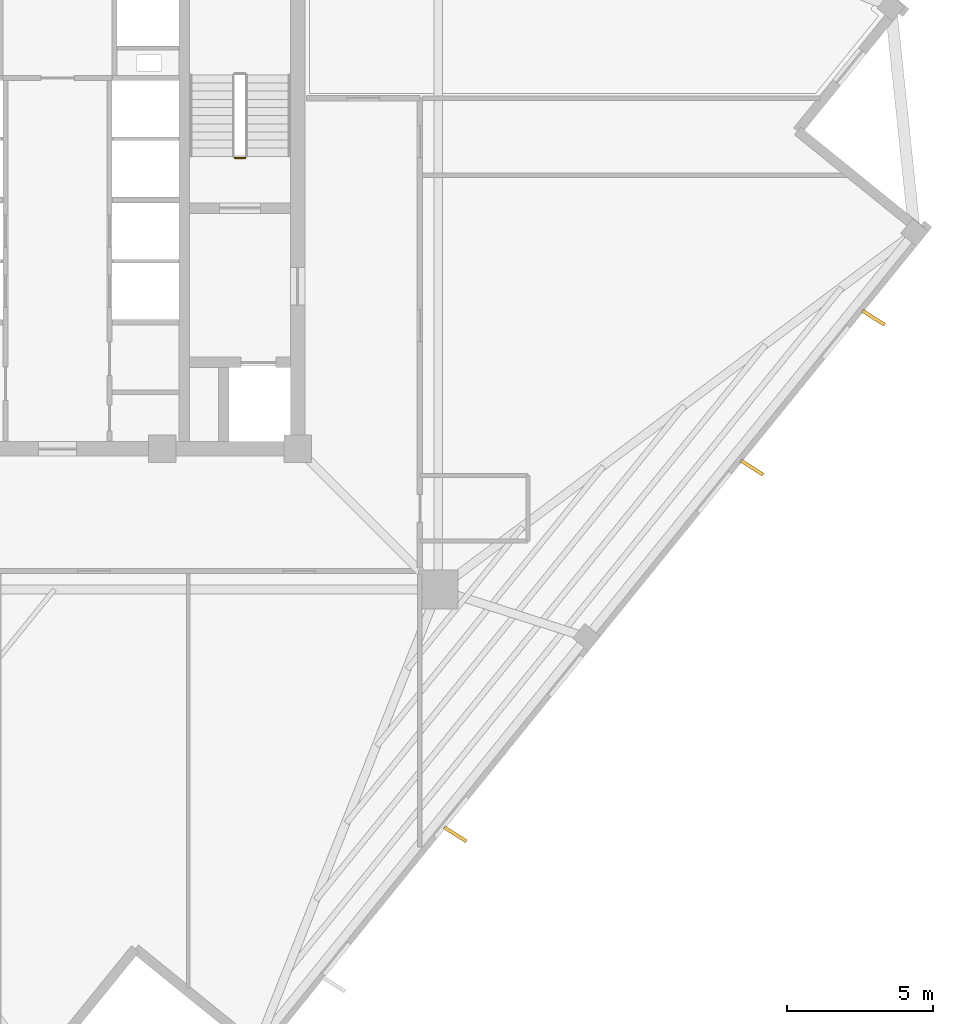
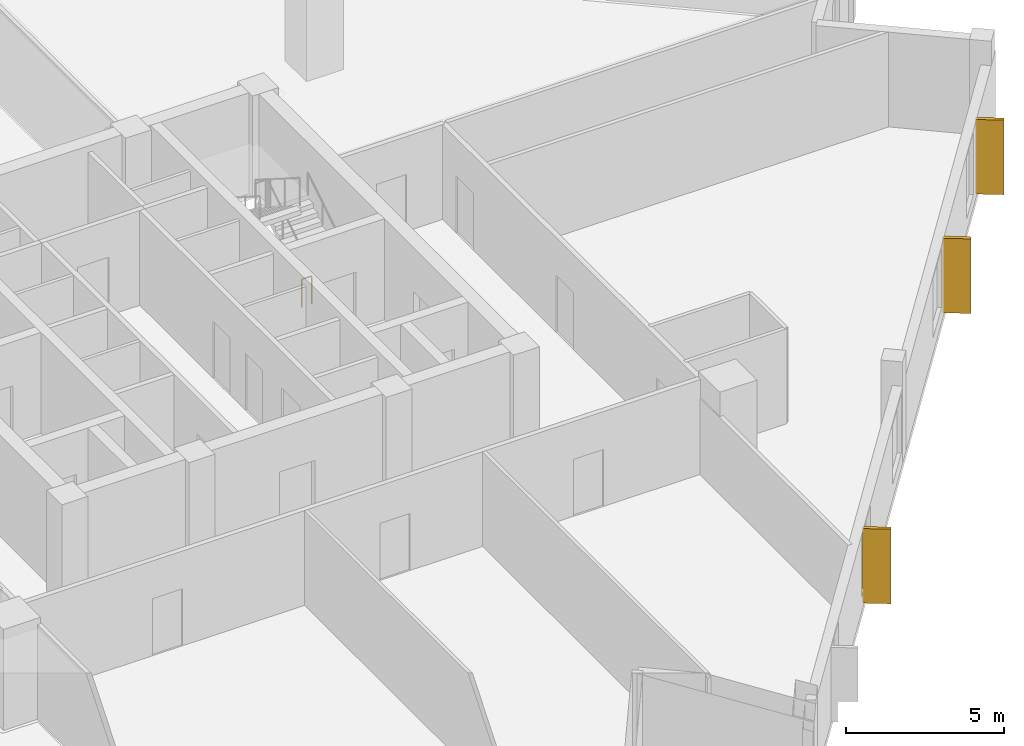
# One storey, part 8 of 10: 3 coverings, 1 railing.
"""IFC4 building model written with IfcOpenShell, lengths in metres."""

from ifc_helpers import new_model, si_unit, direction, frame, origin, origin_2d, place, context, subcontext, project, spatial, rectangle, circle, extrude, source, transform, mapped, material, layer, layer_set, type_object, element, save


model = new_model("IFC4")

# Units and contexts
model_context = context("Model", 3, precision=1e-05, world=origin(), true_north=direction((0.0, 1.0)))
body_context = subcontext(model_context, "Body", "Model", "MODEL_VIEW")
ifc_project = project(units=[si_unit("LENGTHUNIT", "METRE"), si_unit("AREAUNIT", "SQUARE_METRE"), si_unit("VOLUMEUNIT", "CUBIC_METRE"), si_unit("PLANEANGLEUNIT", "RADIAN"), si_unit("MASSUNIT", "GRAM", prefix="KILO"), si_unit("THERMODYNAMICTEMPERATUREUNIT", "KELVIN")], contexts=[model_context])

# Site, building, storey
site_placement = place(None, origin())
site = spatial("IfcSite", under=ifc_project, at=site_placement, CompositionType="ELEMENT")
building_placement = place(site_placement, origin())
building = spatial("IfcBuilding", under=site, at=building_placement, Name="Kosmvard Interchange Tower", CompositionType="ELEMENT")
storey_placement = place(building_placement, frame((0.0, 0.0, 229.0)))
storey = spatial("IfcBuildingStorey", under=building, at=storey_placement, Name="L55", CompositionType="ELEMENT", Elevation=229.0)

# Coverings
ifc_material_1 = material(Name="Architectural anodised aluminium", Category="aluminium")
ifc_layer = layer(ifc_material_1, 0.1201171875, Name="Architectural anodised aluminium")
ifc_layer_set = layer_set([ifc_layer], Name="Architectural anodised aluminium")
covering_type = type_object("IfcCoveringType", Name="Rotating Vertical Sun-Breaker Fin 900x120 Aluminium", PredefinedType="CLADDING", material=ifc_layer_set)
shared_shape_1 = source(origin(), body_context, "Body", "SweptSolid", [
    extrude(rectangle(XDim=0.89990234375, YDim=0.1201171875, at=origin_2d()), origin(), (0.0, 0.0, 1.0), 2.8798828125),
])
for number, where, z_axis, x_axis, name in (
    (1, (13.66748046875, -21.49658203125, 0.0400390625), (0.0, 0.0, 1.0), (0.843766346142, -0.536710679153, 0.0), "L55 Rotating Vertical Sun-Breaker Fin 02"),
    (2, (23.86865234375, -8.8994140625, 0.0400390625), (0.0, 0.0, 1.0), (0.843766346142, -0.536710679153, 0.0), "L55 Rotating Vertical Sun-Breaker Fin 03"),
    (3, (28.041748046875, -3.74609375, 0.0400390625), (0.0, 0.0, 1.0), (0.843766346142, -0.536710679153, 0.0), "L55 Rotating Vertical Sun-Breaker Fin 04"),
):
    element("IfcCovering", number, at=place(storey_placement, frame(where, z_axis=z_axis, x_axis=x_axis)), inside=storey, type_object=covering_type, Name=name, PredefinedType="CLADDING", context=body_context, shape_type="MappedRepresentation", body=[
        mapped(shared_shape_1, transform((0.0, 0.0, 0.0), scale=1.0)),
    ])

# Railing
ifc_material_2 = material(Name="Steel S355", Category="steel")
railing_type = type_object("IfcRailingType", Name="Stair & Terrace Safety Guardrail 1100 Steel", PredefinedType="GUARDRAIL", material=ifc_material_2)
shared_shape_2 = source(origin(), body_context, "Body", "SweptSolid", [
    extrude(circle(Radius=0.02392578125, at=origin_2d()), frame((0.0, 0.0, 1.076171875), z_axis=(-1.0, 0.0, 0.0), x_axis=(0.0, -1.0, 0.0)), (0.0, 0.0, 1.0), 0.35986328125),
    extrude(circle(Radius=0.02099609375, at=origin_2d()), origin(), (0.0, 0.0, 1.0), 1.052001953125),
    extrude(circle(Radius=0.02099609375, at=origin_2d()), frame((-0.35986328125, 0.0, 0.0)), (0.0, 0.0, 1.0), 1.052001953125),
])
railing_placement = place(storey_placement, frame((6.449951171875, 1.75, 0.0)))
element("IfcRailing", 4, at=railing_placement, inside=storey, type_object=railing_type, Name="L55 ST-2 stair guard 4", PredefinedType="GUARDRAIL", context=body_context, shape_type="MappedRepresentation", body=[
    mapped(shared_shape_2, transform((0.0, 0.0, 0.0), scale=1.0)),
])

save(model, "model.ifc")
